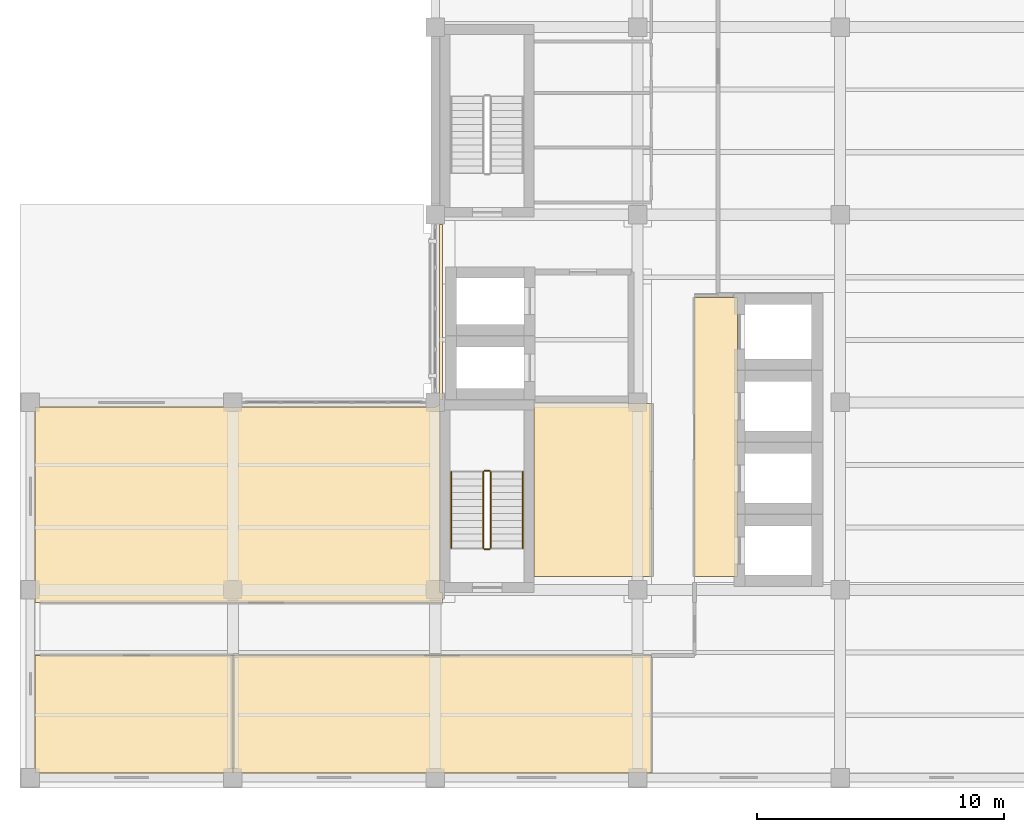
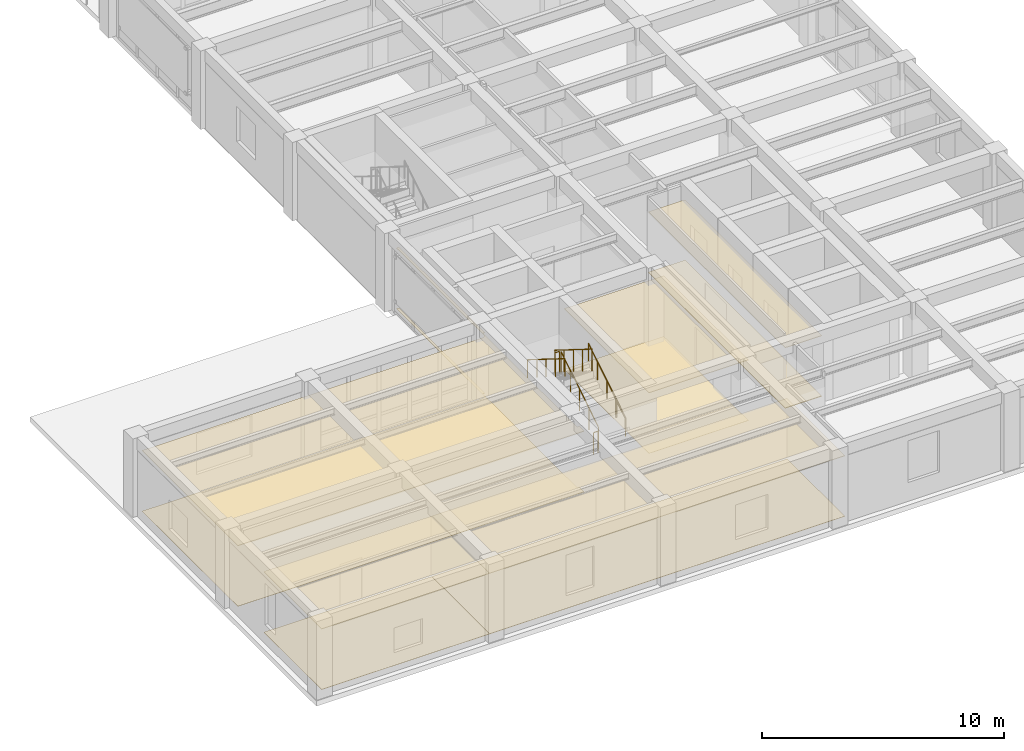
# One storey, part 9 of 12: 10 coverings, 6 railings.
"""IFC4 building model written with IfcOpenShell, lengths in metres."""

from ifc_helpers import new_model, si_unit, direction, frame, origin, origin_2d, place, context, subcontext, project, spatial, polyline, circle, outline, extrude, material, layer, layer_set, type_object, element, save


model = new_model("IFC4")

# Units and contexts
model_context = context("Model", 3, precision=1e-05, world=origin(), true_north=direction((0.0, 1.0)))
body_context = subcontext(model_context, "Body", "Model", "MODEL_VIEW")
ifc_project = project(units=[si_unit("LENGTHUNIT", "METRE"), si_unit("AREAUNIT", "SQUARE_METRE"), si_unit("VOLUMEUNIT", "CUBIC_METRE"), si_unit("PLANEANGLEUNIT", "RADIAN"), si_unit("MASSUNIT", "GRAM", prefix="KILO")], contexts=[model_context])

# Site, building, storey
site_placement = place(None, origin())
site = spatial("IfcSite", under=ifc_project, at=site_placement, CompositionType="ELEMENT")
building_placement = place(site_placement, origin())
building = spatial("IfcBuilding", under=site, at=building_placement, Name="Qandaris Square Conservatory and Botanical Centre", CompositionType="ELEMENT")
storey_placement = place(building_placement, frame((0.0, 0.0, 53.39990234375)))
storey = spatial("IfcBuildingStorey", under=building, at=storey_placement, Name="L12", CompositionType="ELEMENT", Elevation=53.39990234375)

# Coverings
ifc_material_1 = material(Name="Honed Qatari Limestone", Category="masonry")
ifc_layer_1 = layer(ifc_material_1, 0.030029296875)
ifc_layer_set_1 = layer_set([ifc_layer_1], Name="Honed Qatari Limestone")
covering_type_1 = type_object("IfcCoveringType", Name="Honed Qatari Limestone Concourse Paving", PredefinedType="FLOORING", material=ifc_layer_set_1)
covering_1_placement = place(storey_placement, origin())
element("IfcCovering", 1, at=covering_1_placement, inside=storey, type_object=covering_type_1, Name="Passenger Lift Lobby L12 Flooring", PredefinedType="FLOORING", context=body_context, shape_type="SweptSolid", body=[
    extrude(outline(polyline([(149.699951171875, 36.050048828125), (151.449951171875, 36.050048828125), (151.449951171875, 24.75), (149.699951171875, 24.75), (149.699951171875, 36.050048828125)])), origin(), (0.0, 0.0, 1.0), 0.030029296875),
])
ifc_material_2 = material(Name="Gypsum Plasterboard", Category="gypsum")
ifc_layer_2 = layer(ifc_material_2, 0.02490234375)
ifc_layer_set_2 = layer_set([ifc_layer_2], Name="Gypsum Plasterboard")
covering_type_2 = type_object("IfcCoveringType", Name="Perforated Acoustic Lab Ceiling Tile", PredefinedType="CEILING", material=ifc_layer_set_2)
covering_2_placement = place(storey_placement, frame((0.0, 0.0, 3.050048828125)))
element("IfcCovering", 2, at=covering_2_placement, inside=storey, type_object=covering_type_2, Name="Electrical and Telecom Riser Room L12 Ceiling", PredefinedType="CEILING", context=body_context, shape_type="SweptSolid", body=[
    extrude(outline(polyline([(147.949951171875, 31.75), (147.949951171875, 24.75), (143.199951171875, 24.75), (143.199951171875, 31.75), (147.949951171875, 31.75)])), origin(), (0.0, 0.0, 1.0), 0.025146484375),
])
covering_3_placement = place(storey_placement, frame((0.0, 0.0, 3.050048828125)))
element("IfcCovering", 3, at=covering_3_placement, inside=storey, type_object=covering_type_2, Name="Passenger Lift Lobby L12 Ceiling", PredefinedType="CEILING", context=body_context, shape_type="SweptSolid", body=[
    extrude(outline(polyline([(149.699951171875, 36.050048828125), (151.449951171875, 36.050048828125), (151.449951171875, 24.75), (149.699951171875, 24.75), (149.699951171875, 36.050048828125)])), origin(), (0.0, 0.0, 1.0), 0.025146484375),
])
covering_4_placement = place(storey_placement, frame((0.0, 0.0, 3.050048828125)))
element("IfcCovering", 4, at=covering_4_placement, inside=storey, type_object=covering_type_2, Name="Molecular Plant Biology Research Laboratory Ceiling", PredefinedType="CEILING", context=body_context, shape_type="SweptSolid", body=[
    extrude(outline(polyline([(123.199951171875, 21.550048828125), (131.0, 21.550048828125), (131.0, 16.780029296875), (122.97998046875, 16.780029296875), (122.97998046875, 21.550048828125), (123.199951171875, 21.550048828125)])), origin(), (0.0, 0.0, 1.0), 0.025146484375),
])
covering_5_placement = place(storey_placement, frame((0.0, 0.0, 3.050048828125)))
element("IfcCovering", 5, at=covering_5_placement, inside=storey, type_object=covering_type_2, Name="Cell Wall Biophysics Suite Ceiling", PredefinedType="CEILING", context=body_context, shape_type="SweptSolid", body=[
    extrude(outline(polyline([(147.949951171875, 21.550048828125), (147.949951171875, 16.780029296875), (131.0, 16.780029296875), (131.0, 21.550048828125), (147.949951171875, 21.550048828125)])), origin(), (0.0, 0.0, 1.0), 0.025146484375),
])
covering_6_placement = place(storey_placement, frame((0.0, 0.0, 3.050048828125)))
element("IfcCovering", 6, at=covering_6_placement, inside=storey, type_object=covering_type_2, Name="Metabolomics Research Laboratory Ceiling", PredefinedType="CEILING", context=body_context, shape_type="SweptSolid", body=[
    extrude(outline(polyline([(139.235107421875, 31.62353515625), (139.252197265625, 31.627685546875), (139.268798828125, 31.6337890625), (139.284912109375, 31.641357421875), (139.300048828125, 31.650390625), (139.314208984375, 31.660888671875), (139.327392578125, 31.672607421875), (139.339111328125, 31.685791015625), (139.349609375, 31.699951171875), (139.358642578125, 31.715087890625), (139.3662109375, 31.731201171875), (139.372314453125, 31.747802734375), (139.37646484375, 31.764892578125), (139.379150390625, 31.782470703125), (139.3798828125, 31.800048828125), (139.3798828125, 39.0), (139.5, 39.0), (139.5, 31.89990234375), (139.39990234375, 31.89990234375), (139.39990234375, 24.10009765625), (139.5, 24.10009765625), (139.5, 23.699951171875), (123.199951171875, 23.699951171875), (122.97998046875, 23.699951171875), (122.97998046875, 31.6201171875), (139.199951171875, 31.6201171875), (139.217529296875, 31.620849609375), (139.235107421875, 31.62353515625)])), origin(), (0.0, 0.0, 1.0), 0.025146484375),
])
ifc_material_3 = material(Name="Epoxy Resin Screed", Category="finish")
ifc_layer_3 = layer(ifc_material_3, 0.014892578125)
ifc_layer_set_3 = layer_set([ifc_layer_3], Name="Epoxy Resin Screed")
covering_type_3 = type_object("IfcCoveringType", Name="Seamless Epoxy Laboratory Flooring", PredefinedType="FLOORING", material=ifc_layer_set_3)
covering_7_placement = place(storey_placement, origin())
element("IfcCovering", 7, at=covering_7_placement, inside=storey, type_object=covering_type_3, Name="Electrical and Telecom Riser Room L12 Flooring", PredefinedType="FLOORING", context=body_context, shape_type="SweptSolid", body=[
    extrude(outline(polyline([(147.949951171875, 31.75), (147.949951171875, 24.75), (143.199951171875, 24.75), (143.199951171875, 31.75), (147.949951171875, 31.75)])), origin(), (0.0, 0.0, 1.0), 0.01513671875),
])
covering_8_placement = place(storey_placement, origin())
element("IfcCovering", 8, at=covering_8_placement, inside=storey, type_object=covering_type_3, Name="Molecular Plant Biology Research Laboratory Flooring", PredefinedType="FLOORING", context=body_context, shape_type="SweptSolid", body=[
    extrude(outline(polyline([(123.199951171875, 21.550048828125), (131.0, 21.550048828125), (131.0, 16.780029296875), (122.97998046875, 16.780029296875), (122.97998046875, 21.550048828125), (123.199951171875, 21.550048828125)])), origin(), (0.0, 0.0, 1.0), 0.01513671875),
])
covering_9_placement = place(storey_placement, origin())
element("IfcCovering", 9, at=covering_9_placement, inside=storey, type_object=covering_type_3, Name="Cell Wall Biophysics Suite Flooring", PredefinedType="FLOORING", context=body_context, shape_type="SweptSolid", body=[
    extrude(outline(polyline([(147.949951171875, 21.550048828125), (147.949951171875, 16.780029296875), (131.0, 16.780029296875), (131.0, 21.550048828125), (147.949951171875, 21.550048828125)])), origin(), (0.0, 0.0, 1.0), 0.01513671875),
])
covering_10_placement = place(storey_placement, origin())
element("IfcCovering", 10, at=covering_10_placement, inside=storey, type_object=covering_type_3, Name="Metabolomics Research Laboratory Flooring", PredefinedType="FLOORING", context=body_context, shape_type="SweptSolid", body=[
    extrude(outline(polyline([(139.235107421875, 31.62353515625), (139.252197265625, 31.627685546875), (139.268798828125, 31.6337890625), (139.284912109375, 31.641357421875), (139.300048828125, 31.650390625), (139.314208984375, 31.660888671875), (139.327392578125, 31.672607421875), (139.339111328125, 31.685791015625), (139.349609375, 31.699951171875), (139.358642578125, 31.715087890625), (139.3662109375, 31.731201171875), (139.372314453125, 31.747802734375), (139.37646484375, 31.764892578125), (139.379150390625, 31.782470703125), (139.3798828125, 31.800048828125), (139.3798828125, 39.0), (139.5, 39.0), (139.5, 31.89990234375), (139.39990234375, 31.89990234375), (139.39990234375, 24.10009765625), (139.5, 24.10009765625), (139.5, 23.699951171875), (123.199951171875, 23.699951171875), (122.97998046875, 23.699951171875), (122.97998046875, 31.6201171875), (139.199951171875, 31.6201171875), (139.217529296875, 31.620849609375), (139.235107421875, 31.62353515625)])), origin(), (0.0, 0.0, 1.0), 0.01513671875),
])

# Railings
ifc_material_4 = material(Name="Stainless Steel", Category="steel")
railing_type_1 = type_object("IfcRailingType", Name="Stair Tubular Handrail 920mm", PredefinedType="HANDRAIL", material=ifc_material_4)
railing_1_placement = place(storey_placement, frame((142.75, 25.89990234375, 0.35009765625)))
element("IfcRailing", 11, at=railing_1_placement, inside=storey, type_object=railing_type_1, Name="L12 ST-1 stair handrail 1", PredefinedType="HANDRAIL", context=body_context, shape_type="SweptSolid", body=[
    extrude(circle(Radius=0.02392578125, at=origin_2d()), frame((0.0, 0.0, 0.89599609375), z_axis=(0.0, 0.847998304005, 0.529998940003), x_axis=(-1.0, 0.0, 0.0)), (0.0, 0.0, 1.0), 3.632080078125),
    extrude(circle(Radius=0.02099609375, at=origin_2d()), origin(), (0.0, 0.0, 1.0), 0.871826171875),
    extrude(circle(Radius=0.02099609375, at=origin_2d()), frame((0.0, 0.77001953125, 0.481201171875)), (0.0, 0.0, 1.0), 0.871826171875),
    extrude(circle(Radius=0.02099609375, at=origin_2d()), frame((0.0, 1.5400390625, 0.96240234375)), (0.0, 0.0, 1.0), 0.871826171875),
    extrude(circle(Radius=0.02099609375, at=origin_2d()), frame((0.0, 2.31005859375, 1.44384765625)), (0.0, 0.0, 1.0), 0.871826171875),
    extrude(circle(Radius=0.02099609375, at=origin_2d()), frame((0.0, 3.080078125, 1.925048828125)), (0.0, 0.0, 1.0), 0.871826171875),
])
railing_2_placement = place(storey_placement, frame((139.85009765625, 28.97998046875, 2.4501953125)))
element("IfcRailing", 12, at=railing_2_placement, inside=storey, type_object=railing_type_1, Name="L12 ST-1 stair handrail 2", PredefinedType="HANDRAIL", context=body_context, shape_type="SweptSolid", body=[
    extrude(circle(Radius=0.02392578125, at=origin_2d()), frame((0.0, 0.0, 0.89599609375), z_axis=(0.0, -0.848028513186, 0.529950602248), x_axis=(1.0, 0.0, 0.0)), (0.0, 0.0, 1.0), 3.632080078125),
    extrude(circle(Radius=0.02099609375, at=origin_2d()), origin(), (0.0, 0.0, 1.0), 0.871826171875),
    extrude(circle(Radius=0.02099609375, at=origin_2d()), frame((0.0, -0.77001953125, 0.481201171875)), (0.0, 0.0, 1.0), 0.871826171875),
    extrude(circle(Radius=0.02099609375, at=origin_2d()), frame((0.0, -1.5400390625, 0.96240234375)), (0.0, 0.0, 1.0), 0.871826171875),
    extrude(circle(Radius=0.02099609375, at=origin_2d()), frame((0.0, -2.31005859375, 1.443603515625)), (0.0, 0.0, 1.0), 0.871826171875),
    extrude(circle(Radius=0.02099609375, at=origin_2d()), frame((0.0, -3.080078125, 1.9248046875)), (0.0, 0.0, 1.0), 0.871826171875),
])
railing_type_2 = type_object("IfcRailingType", Name="Stairwell & Atrium Guardrail 1120mm", PredefinedType="GUARDRAIL", material=ifc_material_4)
railing_3_placement = place(storey_placement, frame((141.449951171875, 25.89990234375, 0.175048828125)))
element("IfcRailing", 13, at=railing_3_placement, inside=storey, type_object=railing_type_2, Name="L12 ST-1 stair guard 1", PredefinedType="GUARDRAIL", context=body_context, shape_type="SweptSolid", body=[
    extrude(circle(Radius=0.02392578125, at=origin_2d()), frame((0.0, 0.0, 1.09619140625), z_axis=(0.0, 0.847998304005, 0.529998940003), x_axis=(-1.0, 0.0, 0.0)), (0.0, 0.0, 1.0), 3.632080078125),
    extrude(circle(Radius=0.02099609375, at=origin_2d()), origin(), (0.0, 0.0, 1.0), 1.072021484375),
    extrude(circle(Radius=0.02099609375, at=origin_2d()), frame((0.0, 0.77001953125, 0.481201171875)), (0.0, 0.0, 1.0), 1.072021484375),
    extrude(circle(Radius=0.02099609375, at=origin_2d()), frame((0.0, 1.5400390625, 0.96240234375)), (0.0, 0.0, 1.0), 1.072021484375),
    extrude(circle(Radius=0.02099609375, at=origin_2d()), frame((0.0, 2.31005859375, 1.44384765625)), (0.0, 0.0, 1.0), 1.072021484375),
    extrude(circle(Radius=0.02099609375, at=origin_2d()), frame((0.0, 3.080078125, 1.925048828125)), (0.0, 0.0, 1.0), 1.072021484375),
])
railing_4_placement = place(storey_placement, frame((141.39990234375, 29.030029296875, 2.10009765625)))
element("IfcRailing", 14, at=railing_4_placement, inside=storey, type_object=railing_type_2, Name="L12 ST-1 stair guard 2", PredefinedType="GUARDRAIL", context=body_context, shape_type="SweptSolid", body=[
    extrude(circle(Radius=0.02392578125, at=origin_2d()), frame((0.0, 0.0, 1.09619140625), z_axis=(-1.0, 0.0, 0.0), x_axis=(0.0, -1.0, 0.0)), (0.0, 0.0, 1.0), 0.199951171875),
    extrude(circle(Radius=0.02099609375, at=origin_2d()), origin(), (0.0, 0.0, 1.0), 1.072021484375),
    extrude(circle(Radius=0.02099609375, at=origin_2d()), frame((-0.199951171875, 0.0, 0.0)), (0.0, 0.0, 1.0), 1.072021484375),
])
railing_5_placement = place(storey_placement, frame((141.14990234375, 28.97998046875, 2.275146484375)))
element("IfcRailing", 15, at=railing_5_placement, inside=storey, type_object=railing_type_2, Name="L12 ST-1 stair guard 3", PredefinedType="GUARDRAIL", context=body_context, shape_type="SweptSolid", body=[
    extrude(circle(Radius=0.02392578125, at=origin_2d()), frame((0.0, 0.0, 1.09619140625), z_axis=(0.0, -0.847998304005, 0.529998940003), x_axis=(1.0, 0.0, 0.0)), (0.0, 0.0, 1.0), 3.632080078125),
    extrude(circle(Radius=0.02099609375, at=origin_2d()), origin(), (0.0, 0.0, 1.0), 1.072021484375),
    extrude(circle(Radius=0.02099609375, at=origin_2d()), frame((0.0, -0.77001953125, 0.481201171875)), (0.0, 0.0, 1.0), 1.072021484375),
    extrude(circle(Radius=0.02099609375, at=origin_2d()), frame((0.0, -1.5400390625, 0.96240234375)), (0.0, 0.0, 1.0), 1.072021484375),
    extrude(circle(Radius=0.02099609375, at=origin_2d()), frame((0.0, -2.31005859375, 1.44384765625)), (0.0, 0.0, 1.0), 1.072021484375),
    extrude(circle(Radius=0.02099609375, at=origin_2d()), frame((0.0, -3.080078125, 1.925048828125)), (0.0, 0.0, 1.0), 1.072021484375),
])
railing_6_placement = place(storey_placement, frame((141.39990234375, 25.85009765625, 0.0)))
element("IfcRailing", 16, at=railing_6_placement, inside=storey, type_object=railing_type_2, Name="L12 ST-1 stair guard 4", PredefinedType="GUARDRAIL", context=body_context, shape_type="SweptSolid", body=[
    extrude(circle(Radius=0.02392578125, at=origin_2d()), frame((0.0, 0.0, 1.09619140625), z_axis=(-1.0, 0.0, 0.0), x_axis=(0.0, -1.0, 0.0)), (0.0, 0.0, 1.0), 0.199951171875),
    extrude(circle(Radius=0.02099609375, at=origin_2d()), origin(), (0.0, 0.0, 1.0), 1.072021484375),
    extrude(circle(Radius=0.02099609375, at=origin_2d()), frame((-0.199951171875, 0.0, 0.0)), (0.0, 0.0, 1.0), 1.072021484375),
])

save(model, "model.ifc")
